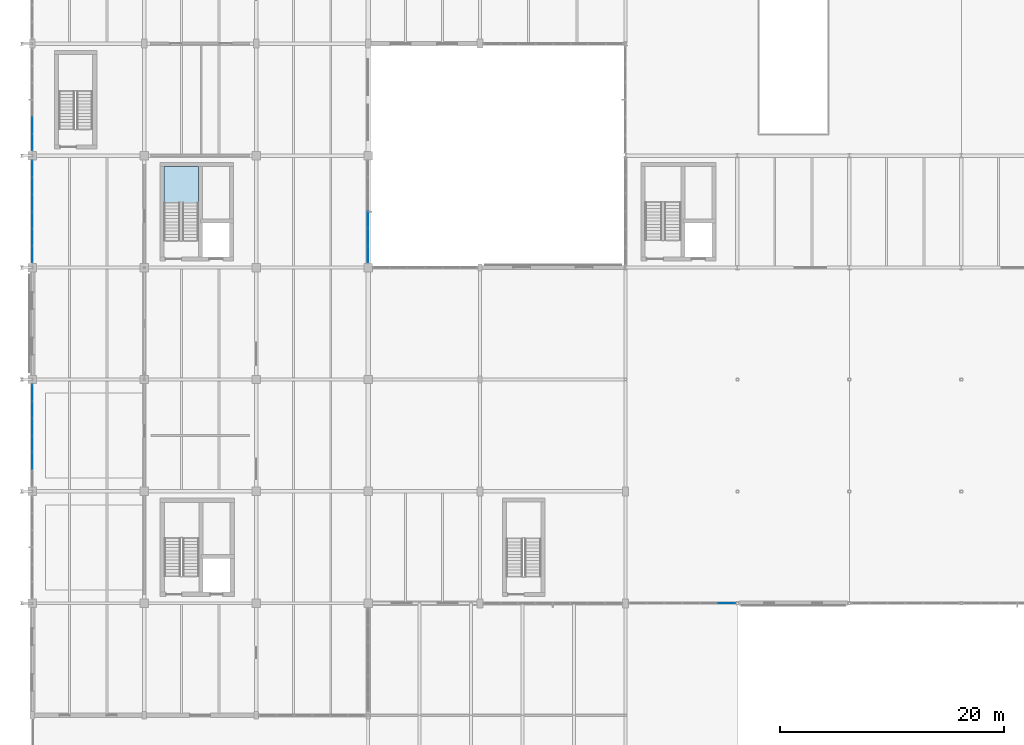
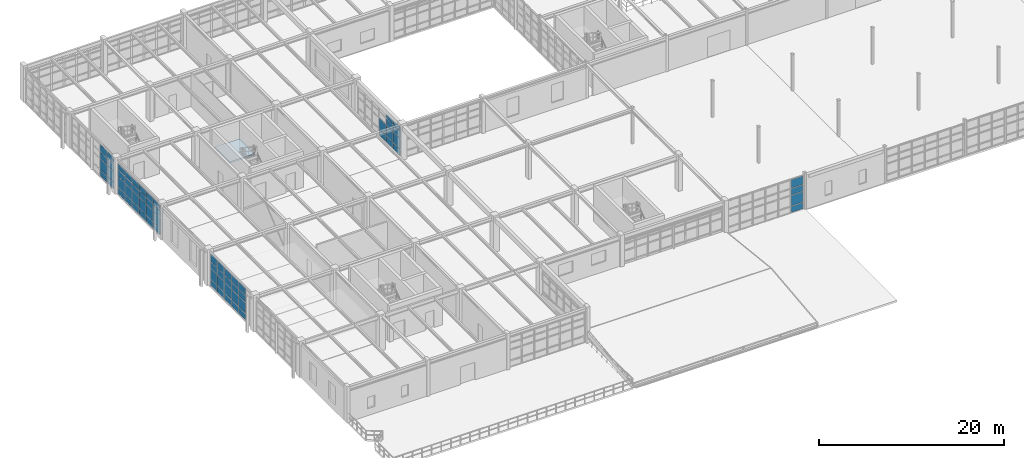
# One storey, part 84 of 139: 66 plates, 1 slab, 6 elements without a shape of their own.
"""IFC4 building model written with IfcOpenShell, lengths in metres."""

from ifc_helpers import new_model, si_unit, direction, frame, origin, origin_2d, place, context, subcontext, project, spatial, polyline, rectangle, outline, extrude, material, layer, layer_set, type_object, element, aggregate, save


model = new_model("IFC4")

# Units and contexts
model_context = context("Model", 3, precision=1e-05, world=origin(), true_north=direction((0.0, 1.0)))
body_context = subcontext(model_context, "Body", "Model", "MODEL_VIEW")
ifc_project = project(units=[si_unit("LENGTHUNIT", "METRE"), si_unit("AREAUNIT", "SQUARE_METRE"), si_unit("VOLUMEUNIT", "CUBIC_METRE"), si_unit("PLANEANGLEUNIT", "RADIAN"), si_unit("MASSUNIT", "GRAM", prefix="KILO"), si_unit("THERMODYNAMICTEMPERATUREUNIT", "KELVIN"), si_unit("POWERUNIT", "WATT")], contexts=[model_context])

# Site, building, storey
site_placement = place(None, origin())
site = spatial("IfcSite", under=ifc_project, at=site_placement, CompositionType="ELEMENT")
building_placement = place(site_placement, origin())
building = spatial("IfcBuilding", under=site, at=building_placement, Name="Korenveer Ferry Terminal", CompositionType="ELEMENT")
storey_placement = place(building_placement, frame((0.0, 0.0, 5.39990234375)))
storey = spatial("IfcBuildingStorey", under=building, at=storey_placement, Name="L01", CompositionType="ELEMENT", Elevation=5.39990234375)

# Curtain wall, plates
ifc_material_1 = material(Name="Unitised bronze-and-glass curtain wall", Category="glass")
ifc_layer_1 = layer(ifc_material_1, 0.159912109375)
ifc_layer_set_1 = layer_set([ifc_layer_1], Name="Unitised bronze-and-glass curtain wall")
curtain_wall_type_1 = type_object("IfcCurtainWallType", Name="ENV-CW-39", PredefinedType="USERDEFINED", material=ifc_layer_set_1)
curtain_wall_1_placement = place(storey_placement, frame((53.280029296875, 20.0, 0.0)))
curtain_wall_1 = element("IfcCurtainWall", 1, at=curtain_wall_1_placement, inside=storey, type_object=curtain_wall_type_1, Name="Lancet curtain wall CWX-L01-X53-63-Y20-20", ObjectType="UNITISED CURTAIN WALL", PredefinedType="USERDEFINED")
ifc_material_2 = material(Name="Low-iron solar-control double glazing", Category="glass")
ifc_layer_2 = layer(ifc_material_2, 0.028076171875)
ifc_layer_set_2 = layer_set([ifc_layer_2], Name="Low-iron solar-control double glazing")
plate_type = type_object("IfcPlateType", Name="ENV-CWP-GLZ28", PredefinedType="CURTAIN_PANEL", material=ifc_layer_set_2)
plate_1_placement = place(storey_placement, frame((62.032958984375, 20.0, 0.06005859375), z_axis=(0.0, 0.0, 1.0), x_axis=(1.0, 0.0, 0.0)))
plate_1 = element("IfcPlate", 2, at=plate_1_placement, type_object=plate_type, Name="CW-39 panel 6.1", PredefinedType="CURTAIN_PANEL", context=body_context, shape_type="SweptSolid", body=[
    extrude(rectangle(XDim=1.504150390625, YDim=0.028076171875, at=origin_2d()), origin(), (0.0, 0.0, 1.0), 0.81005859375),
])
plate_2_placement = place(storey_placement, frame((62.032958984375, 20.0, 0.93017578125), z_axis=(0.0, 0.0, 1.0), x_axis=(1.0, 0.0, 0.0)))
plate_2 = element("IfcPlate", 3, at=plate_2_placement, type_object=plate_type, Name="CW-39 panel 6.2", PredefinedType="CURTAIN_PANEL", context=body_context, shape_type="SweptSolid", body=[
    extrude(rectangle(XDim=1.504150390625, YDim=0.028076171875, at=origin_2d()), origin(), (0.0, 0.0, 1.0), 1.389892578125),
])
plate_3_placement = place(storey_placement, frame((62.032958984375, 20.0, 2.3798828125), z_axis=(0.0, 0.0, 1.0), x_axis=(1.0, 0.0, 0.0)))
plate_3 = element("IfcPlate", 4, at=plate_3_placement, type_object=plate_type, Name="CW-39 panel 6.3", PredefinedType="CURTAIN_PANEL", context=body_context, shape_type="SweptSolid", body=[
    extrude(rectangle(XDim=1.504150390625, YDim=0.028076171875, at=origin_2d()), origin(), (0.0, 0.0, 1.0), 0.840087890625),
])
plate_4_placement = place(storey_placement, frame((62.032958984375, 20.0, 3.280029296875), z_axis=(0.0, 0.0, 1.0), x_axis=(1.0, 0.0, 0.0)))
plate_4 = element("IfcPlate", 5, at=plate_4_placement, type_object=plate_type, Name="CW-39 panel 6.4", PredefinedType="CURTAIN_PANEL", context=body_context, shape_type="SweptSolid", body=[
    extrude(rectangle(XDim=1.504150390625, YDim=0.028076171875, at=origin_2d()), origin(), (0.0, 0.0, 1.0), 1.1201171875),
])
aggregate(curtain_wall_1, [plate_1, plate_2, plate_3, plate_4])

ifc_layer_3 = layer(ifc_material_1, 0.159912109375)
ifc_layer_set_3 = layer_set([ifc_layer_3], Name="Unitised bronze-and-glass curtain wall")
curtain_wall_type_2 = type_object("IfcCurtainWallType", Name="ENV-CW-59", PredefinedType="USERDEFINED", material=ifc_layer_set_3)
curtain_wall_2_placement = place(storey_placement, frame((0.0, 30.405029296875, 0.0)))
curtain_wall_2 = element("IfcCurtainWall", 6, at=curtain_wall_2_placement, inside=storey, type_object=curtain_wall_type_2, Name="Lancet curtain wall CWX-L01-X0-0-Y30-40", ObjectType="UNITISED CURTAIN WALL", PredefinedType="USERDEFINED")
plate_5_placement = place(storey_placement, frame((0.0, 32.702392578125, 0.06005859375), z_axis=(0.0, 0.0, 1.0), x_axis=(0.0, 1.0, 0.0)))
plate_5 = element("IfcPlate", 7, at=plate_5_placement, type_object=plate_type, Name="CW-59 panel 2.1", PredefinedType="CURTAIN_PANEL", context=body_context, shape_type="SweptSolid", body=[
    extrude(rectangle(XDim=1.4716796875, YDim=0.028076171875, at=origin_2d()), origin(), (0.0, 0.0, 1.0), 0.81005859375),
])
plate_6_placement = place(storey_placement, frame((0.0, 32.702392578125, 0.93017578125), z_axis=(0.0, 0.0, 1.0), x_axis=(0.0, 1.0, 0.0)))
plate_6 = element("IfcPlate", 8, at=plate_6_placement, type_object=plate_type, Name="CW-59 panel 2.2", PredefinedType="CURTAIN_PANEL", context=body_context, shape_type="SweptSolid", body=[
    extrude(rectangle(XDim=1.4716796875, YDim=0.028076171875, at=origin_2d()), origin(), (0.0, 0.0, 1.0), 1.389892578125),
])
plate_7_placement = place(storey_placement, frame((0.0, 32.702392578125, 2.3798828125), z_axis=(0.0, 0.0, 1.0), x_axis=(0.0, 1.0, 0.0)))
plate_7 = element("IfcPlate", 9, at=plate_7_placement, type_object=plate_type, Name="CW-59 panel 2.3", PredefinedType="CURTAIN_PANEL", context=body_context, shape_type="SweptSolid", body=[
    extrude(rectangle(XDim=1.4716796875, YDim=0.028076171875, at=origin_2d()), origin(), (0.0, 0.0, 1.0), 0.840087890625),
])
plate_8_placement = place(storey_placement, frame((0.0, 32.702392578125, 3.2802734375), z_axis=(0.0, 0.0, 1.0), x_axis=(0.0, 1.0, 0.0)))
plate_8 = element("IfcPlate", 10, at=plate_8_placement, type_object=plate_type, Name="CW-59 panel 2.4", PredefinedType="CURTAIN_PANEL", context=body_context, shape_type="SweptSolid", body=[
    extrude(rectangle(XDim=1.4716796875, YDim=0.028076171875, at=origin_2d()), origin(), (0.0, 0.0, 1.0), 0.929931640625),
])
plate_9_placement = place(storey_placement, frame((0.0, 34.234130859375, 0.06005859375), z_axis=(0.0, 0.0, 1.0), x_axis=(0.0, 1.0, 0.0)))
plate_9 = element("IfcPlate", 11, at=plate_9_placement, type_object=plate_type, Name="CW-59 panel 3.1", PredefinedType="CURTAIN_PANEL", context=body_context, shape_type="SweptSolid", body=[
    extrude(rectangle(XDim=1.4716796875, YDim=0.028076171875, at=origin_2d()), origin(), (0.0, 0.0, 1.0), 0.81005859375),
])
plate_10_placement = place(storey_placement, frame((0.0, 34.234130859375, 0.93017578125), z_axis=(0.0, 0.0, 1.0), x_axis=(0.0, 1.0, 0.0)))
plate_10 = element("IfcPlate", 12, at=plate_10_placement, type_object=plate_type, Name="CW-59 panel 3.2", PredefinedType="CURTAIN_PANEL", context=body_context, shape_type="SweptSolid", body=[
    extrude(rectangle(XDim=1.4716796875, YDim=0.028076171875, at=origin_2d()), origin(), (0.0, 0.0, 1.0), 1.389892578125),
])
plate_11_placement = place(storey_placement, frame((0.0, 34.234130859375, 2.3798828125), z_axis=(0.0, 0.0, 1.0), x_axis=(0.0, 1.0, 0.0)))
plate_11 = element("IfcPlate", 13, at=plate_11_placement, type_object=plate_type, Name="CW-59 panel 3.3", PredefinedType="CURTAIN_PANEL", context=body_context, shape_type="SweptSolid", body=[
    extrude(rectangle(XDim=1.4716796875, YDim=0.028076171875, at=origin_2d()), origin(), (0.0, 0.0, 1.0), 0.840087890625),
])
plate_12_placement = place(storey_placement, frame((0.0, 34.234130859375, 3.2802734375), z_axis=(0.0, 0.0, 1.0), x_axis=(0.0, 1.0, 0.0)))
plate_12 = element("IfcPlate", 14, at=plate_12_placement, type_object=plate_type, Name="CW-59 panel 3.4", PredefinedType="CURTAIN_PANEL", context=body_context, shape_type="SweptSolid", body=[
    extrude(rectangle(XDim=1.4716796875, YDim=0.028076171875, at=origin_2d()), origin(), (0.0, 0.0, 1.0), 0.929931640625),
])
plate_13_placement = place(storey_placement, frame((0.0, 35.765869140625, 0.06005859375), z_axis=(0.0, 0.0, 1.0), x_axis=(0.0, 1.0, 0.0)))
plate_13 = element("IfcPlate", 15, at=plate_13_placement, type_object=plate_type, Name="CW-59 panel 4.1", PredefinedType="CURTAIN_PANEL", context=body_context, shape_type="SweptSolid", body=[
    extrude(rectangle(XDim=1.4716796875, YDim=0.028076171875, at=origin_2d()), origin(), (0.0, 0.0, 1.0), 0.81005859375),
])
plate_14_placement = place(storey_placement, frame((0.0, 35.765869140625, 0.93017578125), z_axis=(0.0, 0.0, 1.0), x_axis=(0.0, 1.0, 0.0)))
plate_14 = element("IfcPlate", 16, at=plate_14_placement, type_object=plate_type, Name="CW-59 panel 4.2", PredefinedType="CURTAIN_PANEL", context=body_context, shape_type="SweptSolid", body=[
    extrude(rectangle(XDim=1.4716796875, YDim=0.028076171875, at=origin_2d()), origin(), (0.0, 0.0, 1.0), 1.389892578125),
])
plate_15_placement = place(storey_placement, frame((0.0, 35.765869140625, 2.3798828125), z_axis=(0.0, 0.0, 1.0), x_axis=(0.0, 1.0, 0.0)))
plate_15 = element("IfcPlate", 17, at=plate_15_placement, type_object=plate_type, Name="CW-59 panel 4.3", PredefinedType="CURTAIN_PANEL", context=body_context, shape_type="SweptSolid", body=[
    extrude(rectangle(XDim=1.4716796875, YDim=0.028076171875, at=origin_2d()), origin(), (0.0, 0.0, 1.0), 0.840087890625),
])
plate_16_placement = place(storey_placement, frame((0.0, 35.765869140625, 3.2802734375), z_axis=(0.0, 0.0, 1.0), x_axis=(0.0, 1.0, 0.0)))
plate_16 = element("IfcPlate", 18, at=plate_16_placement, type_object=plate_type, Name="CW-59 panel 4.4", PredefinedType="CURTAIN_PANEL", context=body_context, shape_type="SweptSolid", body=[
    extrude(rectangle(XDim=1.4716796875, YDim=0.028076171875, at=origin_2d()), origin(), (0.0, 0.0, 1.0), 0.929931640625),
])
plate_17_placement = place(storey_placement, frame((0.0, 37.297607421875, 0.06005859375), z_axis=(0.0, 0.0, 1.0), x_axis=(0.0, 1.0, 0.0)))
plate_17 = element("IfcPlate", 19, at=plate_17_placement, type_object=plate_type, Name="CW-59 panel 5.1", PredefinedType="CURTAIN_PANEL", context=body_context, shape_type="SweptSolid", body=[
    extrude(rectangle(XDim=1.4716796875, YDim=0.028076171875, at=origin_2d()), origin(), (0.0, 0.0, 1.0), 0.81005859375),
])
plate_18_placement = place(storey_placement, frame((0.0, 37.297607421875, 0.93017578125), z_axis=(0.0, 0.0, 1.0), x_axis=(0.0, 1.0, 0.0)))
plate_18 = element("IfcPlate", 20, at=plate_18_placement, type_object=plate_type, Name="CW-59 panel 5.2", PredefinedType="CURTAIN_PANEL", context=body_context, shape_type="SweptSolid", body=[
    extrude(rectangle(XDim=1.4716796875, YDim=0.028076171875, at=origin_2d()), origin(), (0.0, 0.0, 1.0), 1.389892578125),
])
plate_19_placement = place(storey_placement, frame((0.0, 37.297607421875, 2.3798828125), z_axis=(0.0, 0.0, 1.0), x_axis=(0.0, 1.0, 0.0)))
plate_19 = element("IfcPlate", 21, at=plate_19_placement, type_object=plate_type, Name="CW-59 panel 5.3", PredefinedType="CURTAIN_PANEL", context=body_context, shape_type="SweptSolid", body=[
    extrude(rectangle(XDim=1.4716796875, YDim=0.028076171875, at=origin_2d()), origin(), (0.0, 0.0, 1.0), 0.840087890625),
])
plate_20_placement = place(storey_placement, frame((0.0, 37.297607421875, 3.2802734375), z_axis=(0.0, 0.0, 1.0), x_axis=(0.0, 1.0, 0.0)))
plate_20 = element("IfcPlate", 22, at=plate_20_placement, type_object=plate_type, Name="CW-59 panel 5.4", PredefinedType="CURTAIN_PANEL", context=body_context, shape_type="SweptSolid", body=[
    extrude(rectangle(XDim=1.4716796875, YDim=0.028076171875, at=origin_2d()), origin(), (0.0, 0.0, 1.0), 0.929931640625),
])
plate_21_placement = place(storey_placement, frame((0.0, 38.814208984375, 0.06005859375), z_axis=(0.0, 0.0, 1.0), x_axis=(0.0, 1.0, 0.0)))
plate_21 = element("IfcPlate", 23, at=plate_21_placement, type_object=plate_type, Name="CW-59 panel 6.1", PredefinedType="CURTAIN_PANEL", context=body_context, shape_type="SweptSolid", body=[
    extrude(rectangle(XDim=1.441650390625, YDim=0.028076171875, at=origin_2d()), origin(), (0.0, 0.0, 1.0), 0.81005859375),
])
plate_22_placement = place(storey_placement, frame((0.0, 38.814208984375, 0.93017578125), z_axis=(0.0, 0.0, 1.0), x_axis=(0.0, 1.0, 0.0)))
plate_22 = element("IfcPlate", 24, at=plate_22_placement, type_object=plate_type, Name="CW-59 panel 6.2", PredefinedType="CURTAIN_PANEL", context=body_context, shape_type="SweptSolid", body=[
    extrude(rectangle(XDim=1.441650390625, YDim=0.028076171875, at=origin_2d()), origin(), (0.0, 0.0, 1.0), 1.389892578125),
])
plate_23_placement = place(storey_placement, frame((0.0, 38.814208984375, 2.3798828125), z_axis=(0.0, 0.0, 1.0), x_axis=(0.0, 1.0, 0.0)))
plate_23 = element("IfcPlate", 25, at=plate_23_placement, type_object=plate_type, Name="CW-59 panel 6.3", PredefinedType="CURTAIN_PANEL", context=body_context, shape_type="SweptSolid", body=[
    extrude(rectangle(XDim=1.441650390625, YDim=0.028076171875, at=origin_2d()), origin(), (0.0, 0.0, 1.0), 0.840087890625),
])
plate_24_placement = place(storey_placement, frame((0.0, 38.814208984375, 3.2802734375), z_axis=(0.0, 0.0, 1.0), x_axis=(0.0, 1.0, 0.0)))
plate_24 = element("IfcPlate", 26, at=plate_24_placement, type_object=plate_type, Name="CW-59 panel 6.4", PredefinedType="CURTAIN_PANEL", context=body_context, shape_type="SweptSolid", body=[
    extrude(rectangle(XDim=1.441650390625, YDim=0.028076171875, at=origin_2d()), origin(), (0.0, 0.0, 1.0), 0.929931640625),
])
aggregate(curtain_wall_2, [plate_5, plate_6, plate_7, plate_8, plate_9, plate_10, plate_11, plate_12, plate_13, plate_14, plate_15, plate_16, plate_17, plate_18, plate_19, plate_20, plate_21, plate_22, plate_23, plate_24])

ifc_layer_4 = layer(ifc_material_1, 0.159912109375)
ifc_layer_set_4 = layer_set([ifc_layer_4], Name="Unitised bronze-and-glass curtain wall")
curtain_wall_type_3 = type_object("IfcCurtainWallType", Name="ENV-CW-58", PredefinedType="USERDEFINED", material=ifc_layer_set_4)
curtain_wall_3_placement = place(storey_placement, frame((0.0, 50.405029296875, 0.0)))
curtain_wall_3 = element("IfcCurtainWall", 27, at=curtain_wall_3_placement, inside=storey, type_object=curtain_wall_type_3, Name="Lancet curtain wall CWX-L01-X0-0-Y50-60", ObjectType="UNITISED CURTAIN WALL", PredefinedType="USERDEFINED")
plate_25_placement = place(storey_placement, frame((0.0, 51.185791015625, 0.06005859375), z_axis=(0.0, 0.0, 1.0), x_axis=(0.0, 1.0, 0.0)))
plate_25 = element("IfcPlate", 28, at=plate_25_placement, type_object=plate_type, Name="CW-58 panel 1.1", PredefinedType="CURTAIN_PANEL", context=body_context, shape_type="SweptSolid", body=[
    extrude(rectangle(XDim=1.441650390625, YDim=0.028076171875, at=origin_2d()), origin(), (0.0, 0.0, 1.0), 0.81005859375),
])
plate_26_placement = place(storey_placement, frame((0.0, 51.185791015625, 0.93017578125), z_axis=(0.0, 0.0, 1.0), x_axis=(0.0, 1.0, 0.0)))
plate_26 = element("IfcPlate", 29, at=plate_26_placement, type_object=plate_type, Name="CW-58 panel 1.2", PredefinedType="CURTAIN_PANEL", context=body_context, shape_type="SweptSolid", body=[
    extrude(rectangle(XDim=1.441650390625, YDim=0.028076171875, at=origin_2d()), origin(), (0.0, 0.0, 1.0), 1.389892578125),
])
plate_27_placement = place(storey_placement, frame((0.0, 51.185791015625, 2.3798828125), z_axis=(0.0, 0.0, 1.0), x_axis=(0.0, 1.0, 0.0)))
plate_27 = element("IfcPlate", 30, at=plate_27_placement, type_object=plate_type, Name="CW-58 panel 1.3", PredefinedType="CURTAIN_PANEL", context=body_context, shape_type="SweptSolid", body=[
    extrude(rectangle(XDim=1.441650390625, YDim=0.028076171875, at=origin_2d()), origin(), (0.0, 0.0, 1.0), 0.840087890625),
])
plate_28_placement = place(storey_placement, frame((0.0, 51.185791015625, 3.280029296875), z_axis=(0.0, 0.0, 1.0), x_axis=(0.0, 1.0, 0.0)))
plate_28 = element("IfcPlate", 31, at=plate_28_placement, type_object=plate_type, Name="CW-58 panel 1.4", PredefinedType="CURTAIN_PANEL", context=body_context, shape_type="SweptSolid", body=[
    extrude(rectangle(XDim=1.441650390625, YDim=0.028076171875, at=origin_2d()), origin(), (0.0, 0.0, 1.0), 0.72998046875),
])
plate_29_placement = place(storey_placement, frame((0.0, 52.702392578125, 0.06005859375), z_axis=(0.0, 0.0, 1.0), x_axis=(0.0, 1.0, 0.0)))
plate_29 = element("IfcPlate", 32, at=plate_29_placement, type_object=plate_type, Name="CW-58 panel 2.1", PredefinedType="CURTAIN_PANEL", context=body_context, shape_type="SweptSolid", body=[
    extrude(rectangle(XDim=1.4716796875, YDim=0.028076171875, at=origin_2d()), origin(), (0.0, 0.0, 1.0), 0.81005859375),
])
plate_30_placement = place(storey_placement, frame((0.0, 52.702392578125, 0.93017578125), z_axis=(0.0, 0.0, 1.0), x_axis=(0.0, 1.0, 0.0)))
plate_30 = element("IfcPlate", 33, at=plate_30_placement, type_object=plate_type, Name="CW-58 panel 2.2", PredefinedType="CURTAIN_PANEL", context=body_context, shape_type="SweptSolid", body=[
    extrude(rectangle(XDim=1.4716796875, YDim=0.028076171875, at=origin_2d()), origin(), (0.0, 0.0, 1.0), 1.389892578125),
])
plate_31_placement = place(storey_placement, frame((0.0, 52.702392578125, 2.3798828125), z_axis=(0.0, 0.0, 1.0), x_axis=(0.0, 1.0, 0.0)))
plate_31 = element("IfcPlate", 34, at=plate_31_placement, type_object=plate_type, Name="CW-58 panel 2.3", PredefinedType="CURTAIN_PANEL", context=body_context, shape_type="SweptSolid", body=[
    extrude(rectangle(XDim=1.4716796875, YDim=0.028076171875, at=origin_2d()), origin(), (0.0, 0.0, 1.0), 0.840087890625),
])
plate_32_placement = place(storey_placement, frame((0.0, 52.702392578125, 3.280029296875), z_axis=(0.0, 0.0, 1.0), x_axis=(0.0, 1.0, 0.0)))
plate_32 = element("IfcPlate", 35, at=plate_32_placement, type_object=plate_type, Name="CW-58 panel 2.4", PredefinedType="CURTAIN_PANEL", context=body_context, shape_type="SweptSolid", body=[
    extrude(rectangle(XDim=1.4716796875, YDim=0.028076171875, at=origin_2d()), origin(), (0.0, 0.0, 1.0), 0.72998046875),
])
plate_33_placement = place(storey_placement, frame((0.0, 54.234130859375, 0.06005859375), z_axis=(0.0, 0.0, 1.0), x_axis=(0.0, 1.0, 0.0)))
plate_33 = element("IfcPlate", 36, at=plate_33_placement, type_object=plate_type, Name="CW-58 panel 3.1", PredefinedType="CURTAIN_PANEL", context=body_context, shape_type="SweptSolid", body=[
    extrude(rectangle(XDim=1.4716796875, YDim=0.028076171875, at=origin_2d()), origin(), (0.0, 0.0, 1.0), 0.81005859375),
])
plate_34_placement = place(storey_placement, frame((0.0, 54.234130859375, 0.93017578125), z_axis=(0.0, 0.0, 1.0), x_axis=(0.0, 1.0, 0.0)))
plate_34 = element("IfcPlate", 37, at=plate_34_placement, type_object=plate_type, Name="CW-58 panel 3.2", PredefinedType="CURTAIN_PANEL", context=body_context, shape_type="SweptSolid", body=[
    extrude(rectangle(XDim=1.4716796875, YDim=0.028076171875, at=origin_2d()), origin(), (0.0, 0.0, 1.0), 1.389892578125),
])
plate_35_placement = place(storey_placement, frame((0.0, 54.234130859375, 2.3798828125), z_axis=(0.0, 0.0, 1.0), x_axis=(0.0, 1.0, 0.0)))
plate_35 = element("IfcPlate", 38, at=plate_35_placement, type_object=plate_type, Name="CW-58 panel 3.3", PredefinedType="CURTAIN_PANEL", context=body_context, shape_type="SweptSolid", body=[
    extrude(rectangle(XDim=1.4716796875, YDim=0.028076171875, at=origin_2d()), origin(), (0.0, 0.0, 1.0), 0.840087890625),
])
plate_36_placement = place(storey_placement, frame((0.0, 54.234130859375, 3.280029296875), z_axis=(0.0, 0.0, 1.0), x_axis=(0.0, 1.0, 0.0)))
plate_36 = element("IfcPlate", 39, at=plate_36_placement, type_object=plate_type, Name="CW-58 panel 3.4", PredefinedType="CURTAIN_PANEL", context=body_context, shape_type="SweptSolid", body=[
    extrude(rectangle(XDim=1.4716796875, YDim=0.028076171875, at=origin_2d()), origin(), (0.0, 0.0, 1.0), 0.72998046875),
])
plate_37_placement = place(storey_placement, frame((0.0, 55.765869140625, 0.06005859375), z_axis=(0.0, 0.0, 1.0), x_axis=(0.0, 1.0, 0.0)))
plate_37 = element("IfcPlate", 40, at=plate_37_placement, type_object=plate_type, Name="CW-58 panel 4.1", PredefinedType="CURTAIN_PANEL", context=body_context, shape_type="SweptSolid", body=[
    extrude(rectangle(XDim=1.4716796875, YDim=0.028076171875, at=origin_2d()), origin(), (0.0, 0.0, 1.0), 0.81005859375),
])
plate_38_placement = place(storey_placement, frame((0.0, 55.765869140625, 0.93017578125), z_axis=(0.0, 0.0, 1.0), x_axis=(0.0, 1.0, 0.0)))
plate_38 = element("IfcPlate", 41, at=plate_38_placement, type_object=plate_type, Name="CW-58 panel 4.2", PredefinedType="CURTAIN_PANEL", context=body_context, shape_type="SweptSolid", body=[
    extrude(rectangle(XDim=1.4716796875, YDim=0.028076171875, at=origin_2d()), origin(), (0.0, 0.0, 1.0), 1.389892578125),
])
plate_39_placement = place(storey_placement, frame((0.0, 55.765869140625, 2.3798828125), z_axis=(0.0, 0.0, 1.0), x_axis=(0.0, 1.0, 0.0)))
plate_39 = element("IfcPlate", 42, at=plate_39_placement, type_object=plate_type, Name="CW-58 panel 4.3", PredefinedType="CURTAIN_PANEL", context=body_context, shape_type="SweptSolid", body=[
    extrude(rectangle(XDim=1.4716796875, YDim=0.028076171875, at=origin_2d()), origin(), (0.0, 0.0, 1.0), 0.840087890625),
])
plate_40_placement = place(storey_placement, frame((0.0, 55.765869140625, 3.280029296875), z_axis=(0.0, 0.0, 1.0), x_axis=(0.0, 1.0, 0.0)))
plate_40 = element("IfcPlate", 43, at=plate_40_placement, type_object=plate_type, Name="CW-58 panel 4.4", PredefinedType="CURTAIN_PANEL", context=body_context, shape_type="SweptSolid", body=[
    extrude(rectangle(XDim=1.4716796875, YDim=0.028076171875, at=origin_2d()), origin(), (0.0, 0.0, 1.0), 0.72998046875),
])
plate_41_placement = place(storey_placement, frame((0.0, 57.297607421875, 0.06005859375), z_axis=(0.0, 0.0, 1.0), x_axis=(0.0, 1.0, 0.0)))
plate_41 = element("IfcPlate", 44, at=plate_41_placement, type_object=plate_type, Name="CW-58 panel 5.1", PredefinedType="CURTAIN_PANEL", context=body_context, shape_type="SweptSolid", body=[
    extrude(rectangle(XDim=1.4716796875, YDim=0.028076171875, at=origin_2d()), origin(), (0.0, 0.0, 1.0), 0.81005859375),
])
plate_42_placement = place(storey_placement, frame((0.0, 57.297607421875, 0.93017578125), z_axis=(0.0, 0.0, 1.0), x_axis=(0.0, 1.0, 0.0)))
plate_42 = element("IfcPlate", 45, at=plate_42_placement, type_object=plate_type, Name="CW-58 panel 5.2", PredefinedType="CURTAIN_PANEL", context=body_context, shape_type="SweptSolid", body=[
    extrude(rectangle(XDim=1.4716796875, YDim=0.028076171875, at=origin_2d()), origin(), (0.0, 0.0, 1.0), 1.389892578125),
])
plate_43_placement = place(storey_placement, frame((0.0, 57.297607421875, 2.3798828125), z_axis=(0.0, 0.0, 1.0), x_axis=(0.0, 1.0, 0.0)))
plate_43 = element("IfcPlate", 46, at=plate_43_placement, type_object=plate_type, Name="CW-58 panel 5.3", PredefinedType="CURTAIN_PANEL", context=body_context, shape_type="SweptSolid", body=[
    extrude(rectangle(XDim=1.4716796875, YDim=0.028076171875, at=origin_2d()), origin(), (0.0, 0.0, 1.0), 0.840087890625),
])
plate_44_placement = place(storey_placement, frame((0.0, 57.297607421875, 3.280029296875), z_axis=(0.0, 0.0, 1.0), x_axis=(0.0, 1.0, 0.0)))
plate_44 = element("IfcPlate", 47, at=plate_44_placement, type_object=plate_type, Name="CW-58 panel 5.4", PredefinedType="CURTAIN_PANEL", context=body_context, shape_type="SweptSolid", body=[
    extrude(rectangle(XDim=1.4716796875, YDim=0.028076171875, at=origin_2d()), origin(), (0.0, 0.0, 1.0), 0.72998046875),
])
plate_45_placement = place(storey_placement, frame((0.0, 58.814208984375, 0.06005859375), z_axis=(0.0, 0.0, 1.0), x_axis=(0.0, 1.0, 0.0)))
plate_45 = element("IfcPlate", 48, at=plate_45_placement, type_object=plate_type, Name="CW-58 panel 6.1", PredefinedType="CURTAIN_PANEL", context=body_context, shape_type="SweptSolid", body=[
    extrude(rectangle(XDim=1.441650390625, YDim=0.028076171875, at=origin_2d()), origin(), (0.0, 0.0, 1.0), 0.81005859375),
])
plate_46_placement = place(storey_placement, frame((0.0, 58.814208984375, 0.93017578125), z_axis=(0.0, 0.0, 1.0), x_axis=(0.0, 1.0, 0.0)))
plate_46 = element("IfcPlate", 49, at=plate_46_placement, type_object=plate_type, Name="CW-58 panel 6.2", PredefinedType="CURTAIN_PANEL", context=body_context, shape_type="SweptSolid", body=[
    extrude(rectangle(XDim=1.441650390625, YDim=0.028076171875, at=origin_2d()), origin(), (0.0, 0.0, 1.0), 1.389892578125),
])
plate_47_placement = place(storey_placement, frame((0.0, 58.814208984375, 2.3798828125), z_axis=(0.0, 0.0, 1.0), x_axis=(0.0, 1.0, 0.0)))
plate_47 = element("IfcPlate", 50, at=plate_47_placement, type_object=plate_type, Name="CW-58 panel 6.3", PredefinedType="CURTAIN_PANEL", context=body_context, shape_type="SweptSolid", body=[
    extrude(rectangle(XDim=1.441650390625, YDim=0.028076171875, at=origin_2d()), origin(), (0.0, 0.0, 1.0), 0.840087890625),
])
plate_48_placement = place(storey_placement, frame((0.0, 58.814208984375, 3.280029296875), z_axis=(0.0, 0.0, 1.0), x_axis=(0.0, 1.0, 0.0)))
plate_48 = element("IfcPlate", 51, at=plate_48_placement, type_object=plate_type, Name="CW-58 panel 6.4", PredefinedType="CURTAIN_PANEL", context=body_context, shape_type="SweptSolid", body=[
    extrude(rectangle(XDim=1.441650390625, YDim=0.028076171875, at=origin_2d()), origin(), (0.0, 0.0, 1.0), 0.72998046875),
])
aggregate(curtain_wall_3, [plate_25, plate_26, plate_27, plate_28, plate_29, plate_30, plate_31, plate_32, plate_33, plate_34, plate_35, plate_36, plate_37, plate_38, plate_39, plate_40, plate_41, plate_42, plate_43, plate_44, plate_45, plate_46, plate_47, plate_48])

ifc_layer_5 = layer(ifc_material_1, 0.159912109375)
ifc_layer_set_5 = layer_set([ifc_layer_5], Name="Unitised bronze-and-glass curtain wall")
curtain_wall_type_4 = type_object("IfcCurtainWallType", Name="ENV-CW-60", PredefinedType="USERDEFINED", material=ifc_layer_set_5)
curtain_wall_4_placement = place(storey_placement, frame((0.0, 60.405029296875, 0.0)))
curtain_wall_4 = element("IfcCurtainWall", 52, at=curtain_wall_4_placement, inside=storey, type_object=curtain_wall_type_4, Name="Lancet curtain wall CWX-L01-X0-0-Y60-70", ObjectType="UNITISED CURTAIN WALL", PredefinedType="USERDEFINED")
plate_49_placement = place(storey_placement, frame((0.0, 61.183837890625, 0.06005859375), z_axis=(0.0, 0.0, 1.0), x_axis=(0.0, 1.0, 0.0)))
plate_49 = element("IfcPlate", 53, at=plate_49_placement, type_object=plate_type, Name="CW-60 panel 1.1", PredefinedType="CURTAIN_PANEL", context=body_context, shape_type="SweptSolid", body=[
    extrude(rectangle(XDim=1.4375, YDim=0.028076171875, at=origin_2d()), origin(), (0.0, 0.0, 1.0), 0.81005859375),
])
plate_50_placement = place(storey_placement, frame((0.0, 61.183837890625, 0.93017578125), z_axis=(0.0, 0.0, 1.0), x_axis=(0.0, 1.0, 0.0)))
plate_50 = element("IfcPlate", 54, at=plate_50_placement, type_object=plate_type, Name="CW-60 panel 1.2", PredefinedType="CURTAIN_PANEL", context=body_context, shape_type="SweptSolid", body=[
    extrude(rectangle(XDim=1.4375, YDim=0.028076171875, at=origin_2d()), origin(), (0.0, 0.0, 1.0), 1.389892578125),
])
plate_51_placement = place(storey_placement, frame((0.0, 61.183837890625, 2.3798828125), z_axis=(0.0, 0.0, 1.0), x_axis=(0.0, 1.0, 0.0)))
plate_51 = element("IfcPlate", 55, at=plate_51_placement, type_object=plate_type, Name="CW-60 panel 1.3", PredefinedType="CURTAIN_PANEL", context=body_context, shape_type="SweptSolid", body=[
    extrude(rectangle(XDim=1.4375, YDim=0.028076171875, at=origin_2d()), origin(), (0.0, 0.0, 1.0), 0.840087890625),
])
plate_52_placement = place(storey_placement, frame((0.0, 61.183837890625, 3.2802734375), z_axis=(0.0, 0.0, 1.0), x_axis=(0.0, 1.0, 0.0)))
plate_52 = element("IfcPlate", 56, at=plate_52_placement, type_object=plate_type, Name="CW-60 panel 1.4", PredefinedType="CURTAIN_PANEL", context=body_context, shape_type="SweptSolid", body=[
    extrude(rectangle(XDim=1.4375, YDim=0.028076171875, at=origin_2d()), origin(), (0.0, 0.0, 1.0), 0.929931640625),
])
plate_53_placement = place(storey_placement, frame((0.0, 62.6962890625, 0.06005859375), z_axis=(0.0, 0.0, 1.0), x_axis=(0.0, 1.0, 0.0)))
plate_53 = element("IfcPlate", 57, at=plate_53_placement, type_object=plate_type, Name="CW-60 panel 2.1", PredefinedType="CURTAIN_PANEL", context=body_context, shape_type="SweptSolid", body=[
    extrude(rectangle(XDim=1.467529296875, YDim=0.028076171875, at=origin_2d()), origin(), (0.0, 0.0, 1.0), 0.81005859375),
])
plate_54_placement = place(storey_placement, frame((0.0, 62.6962890625, 0.93017578125), z_axis=(0.0, 0.0, 1.0), x_axis=(0.0, 1.0, 0.0)))
plate_54 = element("IfcPlate", 58, at=plate_54_placement, type_object=plate_type, Name="CW-60 panel 2.2", PredefinedType="CURTAIN_PANEL", context=body_context, shape_type="SweptSolid", body=[
    extrude(rectangle(XDim=1.467529296875, YDim=0.028076171875, at=origin_2d()), origin(), (0.0, 0.0, 1.0), 1.389892578125),
])
plate_55_placement = place(storey_placement, frame((0.0, 62.6962890625, 2.3798828125), z_axis=(0.0, 0.0, 1.0), x_axis=(0.0, 1.0, 0.0)))
plate_55 = element("IfcPlate", 59, at=plate_55_placement, type_object=plate_type, Name="CW-60 panel 2.3", PredefinedType="CURTAIN_PANEL", context=body_context, shape_type="SweptSolid", body=[
    extrude(rectangle(XDim=1.467529296875, YDim=0.028076171875, at=origin_2d()), origin(), (0.0, 0.0, 1.0), 0.840087890625),
])
plate_56_placement = place(storey_placement, frame((0.0, 62.6962890625, 3.2802734375), z_axis=(0.0, 0.0, 1.0), x_axis=(0.0, 1.0, 0.0)))
plate_56 = element("IfcPlate", 60, at=plate_56_placement, type_object=plate_type, Name="CW-60 panel 2.4", PredefinedType="CURTAIN_PANEL", context=body_context, shape_type="SweptSolid", body=[
    extrude(rectangle(XDim=1.467529296875, YDim=0.028076171875, at=origin_2d()), origin(), (0.0, 0.0, 1.0), 0.929931640625),
])
aggregate(curtain_wall_4, [plate_49, plate_50, plate_51, plate_52, plate_53, plate_54, plate_55, plate_56])

ifc_layer_6 = layer(ifc_material_1, 0.159912109375)
ifc_layer_set_6 = layer_set([ifc_layer_6], Name="Unitised bronze-and-glass curtain wall")
curtain_wall_type_5 = type_object("IfcCurtainWallType", Name="ENV-CW-63", PredefinedType="USERDEFINED", material=ifc_layer_set_6)
curtain_wall_5_placement = place(storey_placement, frame((30.0, 59.594970703125, 0.0)))
curtain_wall_5 = element("IfcCurtainWall", 61, at=curtain_wall_5_placement, inside=storey, type_object=curtain_wall_type_5, Name="Lancet curtain wall CWX-L01-X30-30-Y50-60", ObjectType="UNITISED CURTAIN WALL", PredefinedType="USERDEFINED")
plate_57_placement = place(storey_placement, frame((30.0, 54.234130859375, 0.06005859375), z_axis=(0.0, 0.0, 1.0), x_axis=(0.0, -1.0, 0.0)))
plate_57 = element("IfcPlate", 62, at=plate_57_placement, type_object=plate_type, Name="CW-63 panel 4.1", PredefinedType="CURTAIN_PANEL", context=body_context, shape_type="SweptSolid", body=[
    extrude(rectangle(XDim=1.4716796875, YDim=0.028076171875, at=origin_2d()), origin(), (0.0, 0.0, 1.0), 0.81005859375),
])
plate_58_placement = place(storey_placement, frame((30.0, 54.234130859375, 0.93017578125), z_axis=(0.0, 0.0, 1.0), x_axis=(0.0, -1.0, 0.0)))
plate_58 = element("IfcPlate", 63, at=plate_58_placement, type_object=plate_type, Name="CW-63 panel 4.2", PredefinedType="CURTAIN_PANEL", context=body_context, shape_type="SweptSolid", body=[
    extrude(rectangle(XDim=1.4716796875, YDim=0.028076171875, at=origin_2d()), origin(), (0.0, 0.0, 1.0), 1.389892578125),
])
plate_59_placement = place(storey_placement, frame((30.0, 52.702392578125, 0.06005859375), z_axis=(0.0, 0.0, 1.0), x_axis=(0.0, -1.0, 0.0)))
plate_59 = element("IfcPlate", 64, at=plate_59_placement, type_object=plate_type, Name="CW-63 panel 5.1", PredefinedType="CURTAIN_PANEL", context=body_context, shape_type="SweptSolid", body=[
    extrude(rectangle(XDim=1.4716796875, YDim=0.028076171875, at=origin_2d()), origin(), (0.0, 0.0, 1.0), 0.81005859375),
])
plate_60_placement = place(storey_placement, frame((30.0, 52.702392578125, 0.93017578125), z_axis=(0.0, 0.0, 1.0), x_axis=(0.0, -1.0, 0.0)))
plate_60 = element("IfcPlate", 65, at=plate_60_placement, type_object=plate_type, Name="CW-63 panel 5.2", PredefinedType="CURTAIN_PANEL", context=body_context, shape_type="SweptSolid", body=[
    extrude(rectangle(XDim=1.4716796875, YDim=0.028076171875, at=origin_2d()), origin(), (0.0, 0.0, 1.0), 1.389892578125),
])
plate_61_placement = place(storey_placement, frame((30.0, 52.702392578125, 2.3798828125), z_axis=(0.0, 0.0, 1.0), x_axis=(0.0, -1.0, 0.0)))
plate_61 = element("IfcPlate", 66, at=plate_61_placement, type_object=plate_type, Name="CW-63 panel 5.3", PredefinedType="CURTAIN_PANEL", context=body_context, shape_type="SweptSolid", body=[
    extrude(rectangle(XDim=1.4716796875, YDim=0.028076171875, at=origin_2d()), origin(), (0.0, 0.0, 1.0), 0.840087890625),
])
plate_62_placement = place(storey_placement, frame((30.0, 52.702392578125, 3.2802734375), z_axis=(0.0, 0.0, 1.0), x_axis=(0.0, -1.0, 0.0)))
plate_62 = element("IfcPlate", 67, at=plate_62_placement, type_object=plate_type, Name="CW-63 panel 5.4", PredefinedType="CURTAIN_PANEL", context=body_context, shape_type="SweptSolid", body=[
    extrude(rectangle(XDim=1.4716796875, YDim=0.028076171875, at=origin_2d()), origin(), (0.0, 0.0, 1.0), 0.530029296875),
])
plate_63_placement = place(storey_placement, frame((30.0, 51.185791015625, 0.06005859375), z_axis=(0.0, 0.0, 1.0), x_axis=(0.0, -1.0, 0.0)))
plate_63 = element("IfcPlate", 68, at=plate_63_placement, type_object=plate_type, Name="CW-63 panel 6.1", PredefinedType="CURTAIN_PANEL", context=body_context, shape_type="SweptSolid", body=[
    extrude(rectangle(XDim=1.441650390625, YDim=0.028076171875, at=origin_2d()), origin(), (0.0, 0.0, 1.0), 0.81005859375),
])
plate_64_placement = place(storey_placement, frame((30.0, 51.185791015625, 0.93017578125), z_axis=(0.0, 0.0, 1.0), x_axis=(0.0, -1.0, 0.0)))
plate_64 = element("IfcPlate", 69, at=plate_64_placement, type_object=plate_type, Name="CW-63 panel 6.2", PredefinedType="CURTAIN_PANEL", context=body_context, shape_type="SweptSolid", body=[
    extrude(rectangle(XDim=1.441650390625, YDim=0.028076171875, at=origin_2d()), origin(), (0.0, 0.0, 1.0), 1.389892578125),
])
plate_65_placement = place(storey_placement, frame((30.0, 51.185791015625, 2.3798828125), z_axis=(0.0, 0.0, 1.0), x_axis=(0.0, -1.0, 0.0)))
plate_65 = element("IfcPlate", 70, at=plate_65_placement, type_object=plate_type, Name="CW-63 panel 6.3", PredefinedType="CURTAIN_PANEL", context=body_context, shape_type="SweptSolid", body=[
    extrude(rectangle(XDim=1.441650390625, YDim=0.028076171875, at=origin_2d()), origin(), (0.0, 0.0, 1.0), 0.840087890625),
])
plate_66_placement = place(storey_placement, frame((30.0, 51.185791015625, 3.2802734375), z_axis=(0.0, 0.0, 1.0), x_axis=(0.0, -1.0, 0.0)))
plate_66 = element("IfcPlate", 71, at=plate_66_placement, type_object=plate_type, Name="CW-63 panel 6.4", PredefinedType="CURTAIN_PANEL", context=body_context, shape_type="SweptSolid", body=[
    extrude(rectangle(XDim=1.441650390625, YDim=0.028076171875, at=origin_2d()), origin(), (0.0, 0.0, 1.0), 0.530029296875),
])
aggregate(curtain_wall_5, [plate_57, plate_58, plate_59, plate_60, plate_61, plate_62, plate_63, plate_64, plate_65, plate_66])

# Stair, slab
ifc_material_3 = material(Name="Concrete C40/50", Category="concrete")
stair_type = type_object("IfcStairType", Name="INT-ST-02", PredefinedType="HALF_TURN_STAIR", material=ifc_material_3)
stair_placement = place(storey_placement, frame((14.135009765625, 52.409912109375, 0.0)))
stair = element("IfcStair", 72, at=stair_placement, inside=storey, type_object=stair_type, Name="L01 West Operations Core K2", PredefinedType="HALF_TURN_STAIR")
ifc_layer_7 = layer(ifc_material_3, 0.199951171875)
ifc_layer_set_7 = layer_set([ifc_layer_7], Name="Concrete C40/50")
slab_type = type_object("IfcSlabType", Name="INT-SL-LAND200", PredefinedType="LANDING", material=ifc_layer_set_7)
slab_placement = place(storey_placement, frame((0.0, 0.0, 2.2001953125)))
slab = element("IfcSlab", 73, at=slab_placement, type_object=slab_type, Name="ST02 landing 1", PredefinedType="LANDING", context=body_context, shape_type="SweptSolid", body=[
    extrude(outline(polyline([(14.860107421875, 55.77001953125), (14.860107421875, 59.0400390625), (11.760009765625, 59.0400390625), (11.760009765625, 55.77001953125), (14.860107421875, 55.77001953125)])), origin(), (0.0, 0.0, 1.0), 0.199951171875),
])
aggregate(stair, [slab])

save(model, "model.ifc")
